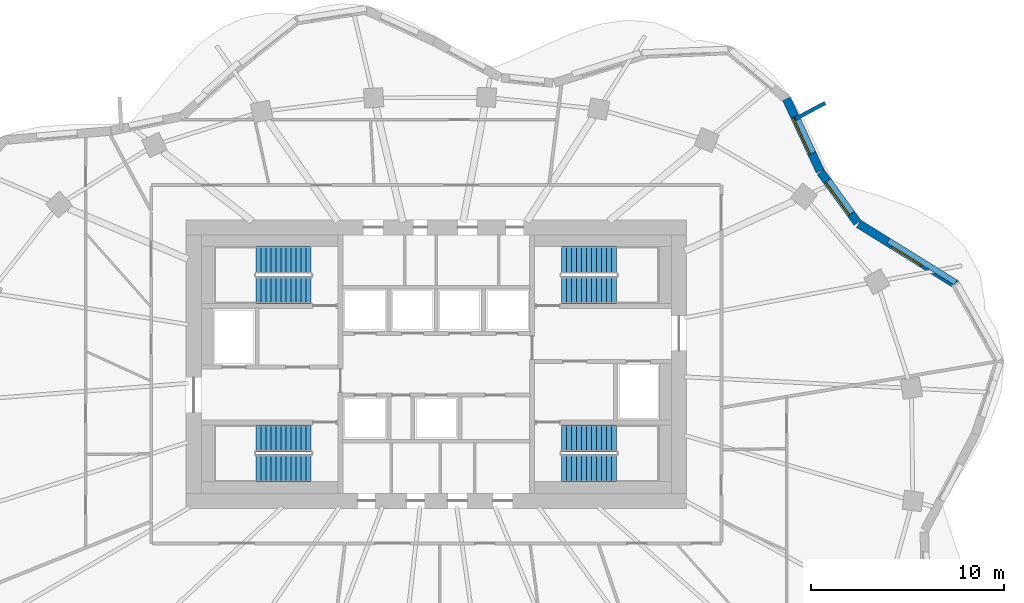
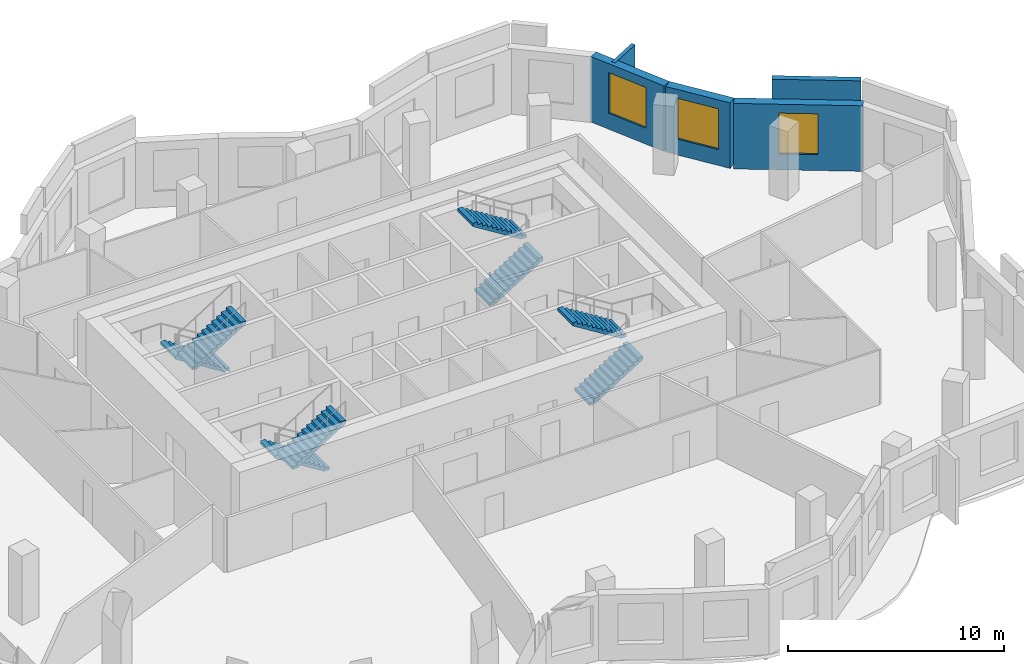
# One storey, part 8 of 9: 8 stair flights, 5 walls, 3 windows, 3 openings, 4 elements without a shape of their own.
"""IFC4 building model written with IfcOpenShell, lengths in metres."""

from ifc_helpers import new_model, si_unit, direction, frame, frame_2d, origin, place, context, subcontext, project, spatial, polyline, rectangle, outline, extrude, material, layer, layer_set, type_object, element, fill, aggregate, save


model = new_model("IFC4")

# Units and contexts
model_context = context("Model", 3, precision=1e-05, world=origin(), true_north=direction((0.0, 1.0)))
body_context = subcontext(model_context, "Body", "Model", "MODEL_VIEW")
ifc_project = project(units=[si_unit("LENGTHUNIT", "METRE"), si_unit("AREAUNIT", "SQUARE_METRE"), si_unit("VOLUMEUNIT", "CUBIC_METRE"), si_unit("PLANEANGLEUNIT", "RADIAN"), si_unit("MASSUNIT", "GRAM", prefix="KILO")], contexts=[model_context])

# Site, building, storey
site_placement = place(None, origin())
site = spatial("IfcSite", under=ifc_project, at=site_placement, CompositionType="ELEMENT")
building_placement = place(site_placement, origin())
building = spatial("IfcBuilding", under=site, at=building_placement, Name="Rubra Terraces Tower", CompositionType="ELEMENT")
storey_placement = place(building_placement, frame((0.0, 0.0, 244.800048828125)))
storey = spatial("IfcBuildingStorey", under=building, at=storey_placement, Name="L60", CompositionType="ELEMENT", Elevation=244.800048828125)

# Wall, opening, window
ifc_material_1 = material(Name="Brick masonry red-brown", Category="masonry")
ifc_layer_1 = layer(ifc_material_1, 0.449951171875)
ifc_layer_set_1 = layer_set([ifc_layer_1], Name="Brick masonry red-brown")
wall_type_1 = type_object("IfcWallType", Name="Brick facade wall 450", PredefinedType="SOLIDWALL", material=ifc_layer_set_1)
wall_1_placement = place(storey_placement, frame((27.01611328125, 8.6259765625, 0.0), z_axis=(0.0, 0.0, 1.0), x_axis=(-0.849198377377, 0.528073968172, 0.0)))
wall_1 = element("IfcWall", 1, at=wall_1_placement, inside=storey, type_object=wall_type_1, Name="Facade wall L60 bay 3", PredefinedType="SOLIDWALL", context=body_context, shape_type="SweptSolid", body=[
    extrude(rectangle(XDim=5.989501953125, YDim=0.449951171875, at=frame_2d((2.99462890625, 0.0))), origin(), (0.0, 0.0, 1.0), 3.699951171875),
])
opening_1_placement = place(wall_1_placement, frame((2.0947265625, 0.0, 0.89990234375)))
opening_1 = element("IfcOpeningElement", 2, at=opening_1_placement, cuts=wall_1, Name="Opening W6B", PredefinedType="OPENING", context=body_context, shape_type="SweptSolid", body=[
    extrude(rectangle(XDim=1.800048828125, YDim=2.300048828125, at=frame_2d((0.89990234375, 1.14990234375))), frame((0.0, 0.23486328125, 0.0), z_axis=(0.0, -1.0, 0.0), x_axis=(1.0, 0.0, 0.0)), (0.0, 0.0, 1.0), 0.469970703125),
])
ifc_material_2 = material(Name="Clear glass in aluminium frame", Category="aluminium")
window_type_1 = type_object("IfcWindowType", Name="Fixed deep-set window at wind fin tall storey 1800 x 2300", PartitioningType="SINGLE_PANEL", PredefinedType="WINDOW", material=ifc_material_2)
window_1_placement = place(opening_1_placement, origin())
window_1 = element("IfcWindow", 3, at=window_1_placement, inside=storey, type_object=window_type_1, Name="Window L60 bay 3", OverallHeight=2.300048828125, OverallWidth=1.800048828125, PartitioningType="SINGLE_PANEL", PredefinedType="WINDOW", context=body_context, shape_type="SweptSolid", body=[
    extrude(rectangle(XDim=1.800048828125, YDim=2.300048828125, at=frame_2d((0.89990234375, 1.14990234375))), frame((0.0, 0.135009765625, 0.0), z_axis=(0.0, -1.0, 0.0), x_axis=(1.0, 0.0, 0.0)), (0.0, 0.0, 1.0), 0.06005859375),
])
fill(opening_1, window_1)

wall_2_placement = place(storey_placement, frame((21.872314453125, 11.840576171875, 0.0), z_axis=(0.0, 0.0, 1.0), x_axis=(-0.587562050363, 0.809179113036, 0.0)))
wall_2 = element("IfcWall", 4, at=wall_2_placement, inside=storey, type_object=wall_type_1, Name="Facade wall L60 bay 4", PredefinedType="SOLIDWALL", context=body_context, shape_type="SweptSolid", body=[
    extrude(rectangle(XDim=3.262939453125, YDim=0.449951171875, at=frame_2d((1.63134765625, 0.0))), origin(), (0.0, 0.0, 1.0), 3.699951171875),
])
opening_2_placement = place(wall_2_placement, frame((0.58154296875, 0.0, 0.89990234375)))
opening_2 = element("IfcOpeningElement", 5, at=opening_2_placement, cuts=wall_2, Name="Opening W1B", PredefinedType="OPENING", context=body_context, shape_type="SweptSolid", body=[
    extrude(rectangle(XDim=2.10009765625, YDim=2.300048828125, at=frame_2d((1.050048828125, 1.14990234375))), frame((0.0, 0.23486328125, 0.0), z_axis=(0.0, -1.0, 0.0), x_axis=(1.0, 0.0, 0.0)), (0.0, 0.0, 1.0), 0.469970703125),
])
window_type_2 = type_object("IfcWindowType", Name="Fixed deep-set window tall storey 2100 x 2300", PartitioningType="SINGLE_PANEL", PredefinedType="WINDOW", material=ifc_material_2)
window_2_placement = place(opening_2_placement, origin())
window_2 = element("IfcWindow", 6, at=window_2_placement, inside=storey, type_object=window_type_2, Name="Window L60 bay 4", OverallHeight=2.300048828125, OverallWidth=2.10009765625, PartitioningType="SINGLE_PANEL", PredefinedType="WINDOW", context=body_context, shape_type="SweptSolid", body=[
    extrude(rectangle(XDim=2.10009765625, YDim=2.300048828125, at=frame_2d((1.050048828125, 1.14990234375))), frame((0.0, 0.135009765625, 0.0), z_axis=(0.0, -1.0, 0.0), x_axis=(1.0, 0.0, 0.0)), (0.0, 0.0, 1.0), 0.06005859375),
])
fill(opening_2, window_2)

wall_3_placement = place(storey_placement, frame((19.9306640625, 14.519287109375, 0.0), z_axis=(0.0, 0.0, 1.0), x_axis=(-0.421138964136, 0.906996126169, 0.0)))
wall_3 = element("IfcWall", 7, at=wall_3_placement, inside=storey, type_object=wall_type_1, Name="Facade wall L60 bay 5", PredefinedType="SOLIDWALL", context=body_context, shape_type="SweptSolid", body=[
    extrude(rectangle(XDim=4.149658203125, YDim=0.449951171875, at=frame_2d((2.07470703125, 0.0))), origin(), (0.0, 0.0, 1.0), 3.699951171875),
])
opening_3_placement = place(wall_3_placement, frame((1.02490234375, 0.0, 0.89990234375)))
opening_3 = element("IfcOpeningElement", 8, at=opening_3_placement, cuts=wall_3, Name="Opening W1B", PredefinedType="OPENING", context=body_context, shape_type="SweptSolid", body=[
    extrude(rectangle(XDim=2.10009765625, YDim=2.300048828125, at=frame_2d((1.050048828125, 1.14990234375))), frame((0.0, 0.23486328125, 0.0), z_axis=(0.0, -1.0, 0.0), x_axis=(1.0, 0.0, 0.0)), (0.0, 0.0, 1.0), 0.469970703125),
])
window_3_placement = place(opening_3_placement, origin())
window_3 = element("IfcWindow", 9, at=window_3_placement, inside=storey, type_object=window_type_2, Name="Window L60 bay 5", OverallHeight=2.300048828125, OverallWidth=2.10009765625, PartitioningType="SINGLE_PANEL", PredefinedType="WINDOW", context=body_context, shape_type="SweptSolid", body=[
    extrude(rectangle(XDim=2.10009765625, YDim=2.300048828125, at=frame_2d((1.050048828125, 1.14990234375))), frame((0.0, 0.135009765625, 0.0), z_axis=(0.0, -1.0, 0.0), x_axis=(1.0, 0.0, 0.0)), (0.0, 0.0, 1.0), 0.06005859375),
])
fill(opening_3, window_3)

# Walls
ifc_layer_2 = layer(ifc_material_1, 0.300048828125)
ifc_layer_set_2 = layer_set([ifc_layer_2], Name="Brick masonry red-brown")
wall_type_2 = type_object("IfcWallType", Name="Brick parapet 300", PredefinedType="PARAPET", material=ifc_layer_set_2)
wall_4_placement = place(storey_placement, frame((26.965087890625, 8.74609375, 3.89990234375), z_axis=(0.0, 0.0, 1.0), x_axis=(-0.849203312007, 0.528066032686, 0.0)))
element("IfcWall", 10, at=wall_4_placement, inside=storey, type_object=wall_type_2, Name="Parapet L60 bay 3", PredefinedType="PARAPET", context=body_context, shape_type="SweptSolid", body=[
    extrude(rectangle(XDim=4.11279296875, YDim=0.300048828125, at=frame_2d((2.056396484375, 0.0))), origin(), (0.0, 0.0, 1.0), 1.10009765625),
])
ifc_layer_3 = layer(ifc_material_1, 0.199951171875)
ifc_layer_set_3 = layer_set([ifc_layer_3], Name="Brick masonry red-brown")
wall_type_3 = type_object("IfcWallType", Name="Brick wind fin 200", PredefinedType="SOLIDWALL", material=ifc_layer_set_3)
wall_5_placement = place(storey_placement, frame((18.65087890625, 17.242919921875, 0.0), z_axis=(0.0, 0.0, 1.0), x_axis=(0.882225472329, 0.470827161466, 0.0)))
element("IfcWall", 11, at=wall_5_placement, inside=storey, type_object=wall_type_3, Name="Wind fin L60 3", PredefinedType="SOLIDWALL", context=body_context, shape_type="SweptSolid", body=[
    extrude(rectangle(XDim=1.75, YDim=0.199951171875, at=frame_2d((0.875, 0.0))), origin(), (0.0, 0.0, 1.0), 3.699951171875),
])

# Stair, stair flights
ifc_material_3 = material(Name="Concrete C40", Category="concrete")
stair_type = type_object("IfcStairType", Name="Core stair 1400", PredefinedType="HALF_TURN_STAIR", material=ifc_material_3)
stair_1_placement = place(storey_placement, origin())
stair_1 = element("IfcStair", 12, at=stair_1_placement, inside=storey, type_object=stair_type, Name="L60 Exit stair S1", PredefinedType="HALF_TURN_STAIR")
stair_flight_type = type_object("IfcStairFlightType", Name="Core stair flight 1400", PredefinedType="STRAIGHT", material=ifc_material_3)
stair_flight_1_placement = place(storey_placement, frame((-6.5, 0.64990234375, 0.0), z_axis=(0.0, 0.0, 1.0), x_axis=(-1.0, 0.0, 0.0)))
stair_flight_1 = element("IfcStairFlight", 13, at=stair_flight_1_placement, type_object=stair_flight_type, Name="S1 flight 1", NumberOfRisers=12, NumberOfTreads=11, PredefinedType="STRAIGHT", RiserHeight=0.1625, TreadLength=0.26, context=body_context, shape_type="SweptSolid", body=[
    extrude(outline(polyline([(0.0, 0.0), (0.0, 0.16259765625), (0.260009765625, 0.16259765625), (0.260009765625, 0.324951171875), (0.52001953125, 0.324951171875), (0.52001953125, 0.487548828125), (0.780029296875, 0.487548828125), (0.780029296875, 0.64990234375), (1.0400390625, 0.64990234375), (1.0400390625, 0.8125), (1.300048828125, 0.8125), (1.300048828125, 0.97509765625), (1.56005859375, 0.97509765625), (1.56005859375, 1.137451171875), (1.820068359375, 1.137451171875), (1.820068359375, 1.300048828125), (2.080078125, 1.300048828125), (2.080078125, 1.46240234375), (2.340087890625, 1.46240234375), (2.340087890625, 1.625), (2.60009765625, 1.625), (2.60009765625, 1.78759765625), (2.860107421875, 1.78759765625), (2.860107421875, 1.949951171875), (2.860107421875, 1.61083984375), (0.28271484375, 0.0), (0.0, 0.0)])), frame((0.0, 0.699951171875, 0.0), z_axis=(0.0, -1.0, 0.0), x_axis=(1.0, 0.0, 0.0)), (0.0, 0.0, 1.0), 1.39990234375),
])
stair_flight_2_placement = place(storey_placement, frame((-9.360107421875, -0.89990234375, 1.949951171875), z_axis=(0.0, 0.0, 1.0), x_axis=(1.0, 0.0, 0.0)))
stair_flight_2 = element("IfcStairFlight", 14, at=stair_flight_2_placement, type_object=stair_flight_type, Name="S1 flight 2", NumberOfRisers=12, NumberOfTreads=11, PredefinedType="STRAIGHT", RiserHeight=0.1625, TreadLength=0.26, context=body_context, shape_type="SweptSolid", body=[
    extrude(outline(polyline([(0.0, 0.0), (0.0, 0.16259765625), (0.260009765625, 0.16259765625), (0.260009765625, 0.324951171875), (0.52001953125, 0.324951171875), (0.52001953125, 0.487548828125), (0.780029296875, 0.487548828125), (0.780029296875, 0.64990234375), (1.0400390625, 0.64990234375), (1.0400390625, 0.8125), (1.300048828125, 0.8125), (1.300048828125, 0.97509765625), (1.56005859375, 0.97509765625), (1.56005859375, 1.137451171875), (1.820068359375, 1.137451171875), (1.820068359375, 1.300048828125), (2.080078125, 1.300048828125), (2.080078125, 1.46240234375), (2.340087890625, 1.46240234375), (2.340087890625, 1.625), (2.60009765625, 1.625), (2.60009765625, 1.78759765625), (2.860107421875, 1.78759765625), (2.860107421875, 1.949951171875), (2.860107421875, 1.61083984375), (0.28271484375, 0.0), (0.0, 0.0)])), frame((0.0, 0.699951171875, 0.0), z_axis=(0.0, -1.0, 0.0), x_axis=(1.0, 0.0, 0.0)), (0.0, 0.0, 1.0), 1.39990234375),
])
aggregate(stair_1, [stair_flight_1, stair_flight_2])

stair_2_placement = place(storey_placement, origin())
stair_2 = element("IfcStair", 15, at=stair_2_placement, inside=storey, type_object=stair_type, Name="L60 Exit stair S2", PredefinedType="HALF_TURN_STAIR")
stair_flight_3_placement = place(storey_placement, frame((-6.5, 9.89990234375, 0.0), z_axis=(0.0, 0.0, 1.0), x_axis=(-1.0, 0.0, 0.0)))
stair_flight_3 = element("IfcStairFlight", 16, at=stair_flight_3_placement, type_object=stair_flight_type, Name="S2 flight 1", NumberOfRisers=12, NumberOfTreads=11, PredefinedType="STRAIGHT", RiserHeight=0.1625, TreadLength=0.26, context=body_context, shape_type="SweptSolid", body=[
    extrude(outline(polyline([(0.0, 0.0), (0.0, 0.16259765625), (0.260009765625, 0.16259765625), (0.260009765625, 0.324951171875), (0.52001953125, 0.324951171875), (0.52001953125, 0.487548828125), (0.780029296875, 0.487548828125), (0.780029296875, 0.64990234375), (1.0400390625, 0.64990234375), (1.0400390625, 0.8125), (1.300048828125, 0.8125), (1.300048828125, 0.97509765625), (1.56005859375, 0.97509765625), (1.56005859375, 1.137451171875), (1.820068359375, 1.137451171875), (1.820068359375, 1.300048828125), (2.080078125, 1.300048828125), (2.080078125, 1.46240234375), (2.340087890625, 1.46240234375), (2.340087890625, 1.625), (2.60009765625, 1.625), (2.60009765625, 1.78759765625), (2.860107421875, 1.78759765625), (2.860107421875, 1.949951171875), (2.860107421875, 1.61083984375), (0.28271484375, 0.0), (0.0, 0.0)])), frame((0.0, 0.699951171875, 0.0), z_axis=(0.0, -1.0, 0.0), x_axis=(1.0, 0.0, 0.0)), (0.0, 0.0, 1.0), 1.39990234375),
])
stair_flight_4_placement = place(storey_placement, frame((-9.360107421875, 8.35009765625, 1.949951171875), z_axis=(0.0, 0.0, 1.0), x_axis=(1.0, 0.0, 0.0)))
stair_flight_4 = element("IfcStairFlight", 17, at=stair_flight_4_placement, type_object=stair_flight_type, Name="S2 flight 2", NumberOfRisers=12, NumberOfTreads=11, PredefinedType="STRAIGHT", RiserHeight=0.1625, TreadLength=0.26, context=body_context, shape_type="SweptSolid", body=[
    extrude(outline(polyline([(0.0, 0.0), (0.0, 0.16259765625), (0.260009765625, 0.16259765625), (0.260009765625, 0.324951171875), (0.52001953125, 0.324951171875), (0.52001953125, 0.487548828125), (0.780029296875, 0.487548828125), (0.780029296875, 0.64990234375), (1.0400390625, 0.64990234375), (1.0400390625, 0.8125), (1.300048828125, 0.8125), (1.300048828125, 0.97509765625), (1.56005859375, 0.97509765625), (1.56005859375, 1.137451171875), (1.820068359375, 1.137451171875), (1.820068359375, 1.300048828125), (2.080078125, 1.300048828125), (2.080078125, 1.46240234375), (2.340087890625, 1.46240234375), (2.340087890625, 1.625), (2.60009765625, 1.625), (2.60009765625, 1.78759765625), (2.860107421875, 1.78759765625), (2.860107421875, 1.949951171875), (2.860107421875, 1.61083984375), (0.28271484375, 0.0), (0.0, 0.0)])), frame((0.0, 0.699951171875, 0.0), z_axis=(0.0, -1.0, 0.0), x_axis=(1.0, 0.0, 0.0)), (0.0, 0.0, 1.0), 1.39990234375),
])
aggregate(stair_2, [stair_flight_3, stair_flight_4])

stair_3_placement = place(storey_placement, origin())
stair_3 = element("IfcStair", 18, at=stair_3_placement, inside=storey, type_object=stair_type, Name="L60 Exit stair S3", PredefinedType="HALF_TURN_STAIR")
stair_flight_5_placement = place(storey_placement, frame((6.5, 8.35009765625, 0.0), z_axis=(0.0, 0.0, 1.0), x_axis=(1.0, 0.0, 0.0)))
stair_flight_5 = element("IfcStairFlight", 19, at=stair_flight_5_placement, type_object=stair_flight_type, Name="S3 flight 1", NumberOfRisers=12, NumberOfTreads=11, PredefinedType="STRAIGHT", RiserHeight=0.1625, TreadLength=0.26, context=body_context, shape_type="SweptSolid", body=[
    extrude(outline(polyline([(0.0, 0.0), (0.0, 0.16259765625), (0.260009765625, 0.16259765625), (0.260009765625, 0.324951171875), (0.52001953125, 0.324951171875), (0.52001953125, 0.487548828125), (0.780029296875, 0.487548828125), (0.780029296875, 0.64990234375), (1.0400390625, 0.64990234375), (1.0400390625, 0.8125), (1.300048828125, 0.8125), (1.300048828125, 0.97509765625), (1.56005859375, 0.97509765625), (1.56005859375, 1.137451171875), (1.820068359375, 1.137451171875), (1.820068359375, 1.300048828125), (2.080078125, 1.300048828125), (2.080078125, 1.46240234375), (2.340087890625, 1.46240234375), (2.340087890625, 1.625), (2.60009765625, 1.625), (2.60009765625, 1.78759765625), (2.860107421875, 1.78759765625), (2.860107421875, 1.949951171875), (2.860107421875, 1.61083984375), (0.28271484375, 0.0), (0.0, 0.0)])), frame((0.0, 0.699951171875, 0.0), z_axis=(0.0, -1.0, 0.0), x_axis=(1.0, 0.0, 0.0)), (0.0, 0.0, 1.0), 1.39990234375),
])
stair_flight_6_placement = place(storey_placement, frame((9.360107421875, 9.89990234375, 1.949951171875), z_axis=(0.0, 0.0, 1.0), x_axis=(-1.0, 0.0, 0.0)))
stair_flight_6 = element("IfcStairFlight", 20, at=stair_flight_6_placement, type_object=stair_flight_type, Name="S3 flight 2", NumberOfRisers=12, NumberOfTreads=11, PredefinedType="STRAIGHT", RiserHeight=0.1625, TreadLength=0.26, context=body_context, shape_type="SweptSolid", body=[
    extrude(outline(polyline([(0.0, 0.0), (0.0, 0.16259765625), (0.260009765625, 0.16259765625), (0.260009765625, 0.324951171875), (0.52001953125, 0.324951171875), (0.52001953125, 0.487548828125), (0.780029296875, 0.487548828125), (0.780029296875, 0.64990234375), (1.0400390625, 0.64990234375), (1.0400390625, 0.8125), (1.300048828125, 0.8125), (1.300048828125, 0.97509765625), (1.56005859375, 0.97509765625), (1.56005859375, 1.137451171875), (1.820068359375, 1.137451171875), (1.820068359375, 1.300048828125), (2.080078125, 1.300048828125), (2.080078125, 1.46240234375), (2.340087890625, 1.46240234375), (2.340087890625, 1.625), (2.60009765625, 1.625), (2.60009765625, 1.78759765625), (2.860107421875, 1.78759765625), (2.860107421875, 1.949951171875), (2.860107421875, 1.61083984375), (0.28271484375, 0.0), (0.0, 0.0)])), frame((0.0, 0.699951171875, 0.0), z_axis=(0.0, -1.0, 0.0), x_axis=(1.0, 0.0, 0.0)), (0.0, 0.0, 1.0), 1.39990234375),
])
aggregate(stair_3, [stair_flight_5, stair_flight_6])

stair_4_placement = place(storey_placement, origin())
stair_4 = element("IfcStair", 21, at=stair_4_placement, inside=storey, type_object=stair_type, Name="L60 Exit stair S4", PredefinedType="HALF_TURN_STAIR")
stair_flight_7_placement = place(storey_placement, frame((6.5, -0.89990234375, 0.0), z_axis=(0.0, 0.0, 1.0), x_axis=(1.0, 0.0, 0.0)))
stair_flight_7 = element("IfcStairFlight", 22, at=stair_flight_7_placement, type_object=stair_flight_type, Name="S4 flight 1", NumberOfRisers=12, NumberOfTreads=11, PredefinedType="STRAIGHT", RiserHeight=0.1625, TreadLength=0.26, context=body_context, shape_type="SweptSolid", body=[
    extrude(outline(polyline([(0.0, 0.0), (0.0, 0.16259765625), (0.260009765625, 0.16259765625), (0.260009765625, 0.324951171875), (0.52001953125, 0.324951171875), (0.52001953125, 0.487548828125), (0.780029296875, 0.487548828125), (0.780029296875, 0.64990234375), (1.0400390625, 0.64990234375), (1.0400390625, 0.8125), (1.300048828125, 0.8125), (1.300048828125, 0.97509765625), (1.56005859375, 0.97509765625), (1.56005859375, 1.137451171875), (1.820068359375, 1.137451171875), (1.820068359375, 1.300048828125), (2.080078125, 1.300048828125), (2.080078125, 1.46240234375), (2.340087890625, 1.46240234375), (2.340087890625, 1.625), (2.60009765625, 1.625), (2.60009765625, 1.78759765625), (2.860107421875, 1.78759765625), (2.860107421875, 1.949951171875), (2.860107421875, 1.61083984375), (0.28271484375, 0.0), (0.0, 0.0)])), frame((0.0, 0.699951171875, 0.0), z_axis=(0.0, -1.0, 0.0), x_axis=(1.0, 0.0, 0.0)), (0.0, 0.0, 1.0), 1.39990234375),
])
stair_flight_8_placement = place(storey_placement, frame((9.360107421875, 0.64990234375, 1.949951171875), z_axis=(0.0, 0.0, 1.0), x_axis=(-1.0, 0.0, 0.0)))
stair_flight_8 = element("IfcStairFlight", 23, at=stair_flight_8_placement, type_object=stair_flight_type, Name="S4 flight 2", NumberOfRisers=12, NumberOfTreads=11, PredefinedType="STRAIGHT", RiserHeight=0.1625, TreadLength=0.26, context=body_context, shape_type="SweptSolid", body=[
    extrude(outline(polyline([(0.0, 0.0), (0.0, 0.16259765625), (0.260009765625, 0.16259765625), (0.260009765625, 0.324951171875), (0.52001953125, 0.324951171875), (0.52001953125, 0.487548828125), (0.780029296875, 0.487548828125), (0.780029296875, 0.64990234375), (1.0400390625, 0.64990234375), (1.0400390625, 0.8125), (1.300048828125, 0.8125), (1.300048828125, 0.97509765625), (1.56005859375, 0.97509765625), (1.56005859375, 1.137451171875), (1.820068359375, 1.137451171875), (1.820068359375, 1.300048828125), (2.080078125, 1.300048828125), (2.080078125, 1.46240234375), (2.340087890625, 1.46240234375), (2.340087890625, 1.625), (2.60009765625, 1.625), (2.60009765625, 1.78759765625), (2.860107421875, 1.78759765625), (2.860107421875, 1.949951171875), (2.860107421875, 1.61083984375), (0.28271484375, 0.0), (0.0, 0.0)])), frame((0.0, 0.699951171875, 0.0), z_axis=(0.0, -1.0, 0.0), x_axis=(1.0, 0.0, 0.0)), (0.0, 0.0, 1.0), 1.39990234375),
])
aggregate(stair_4, [stair_flight_7, stair_flight_8])

save(model, "model.ifc")
